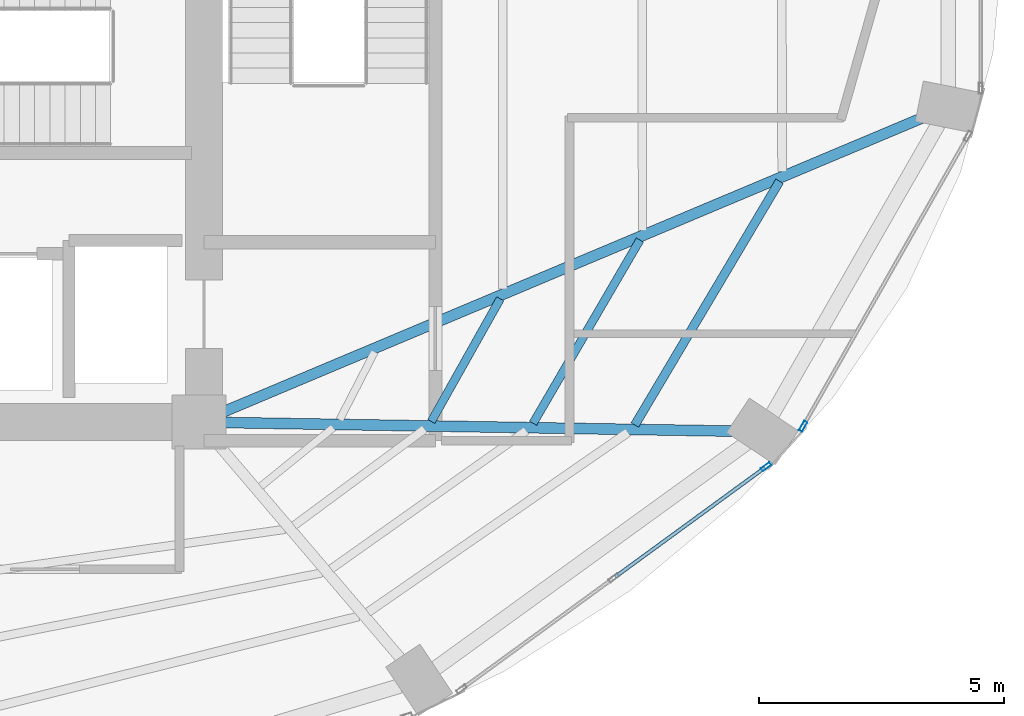
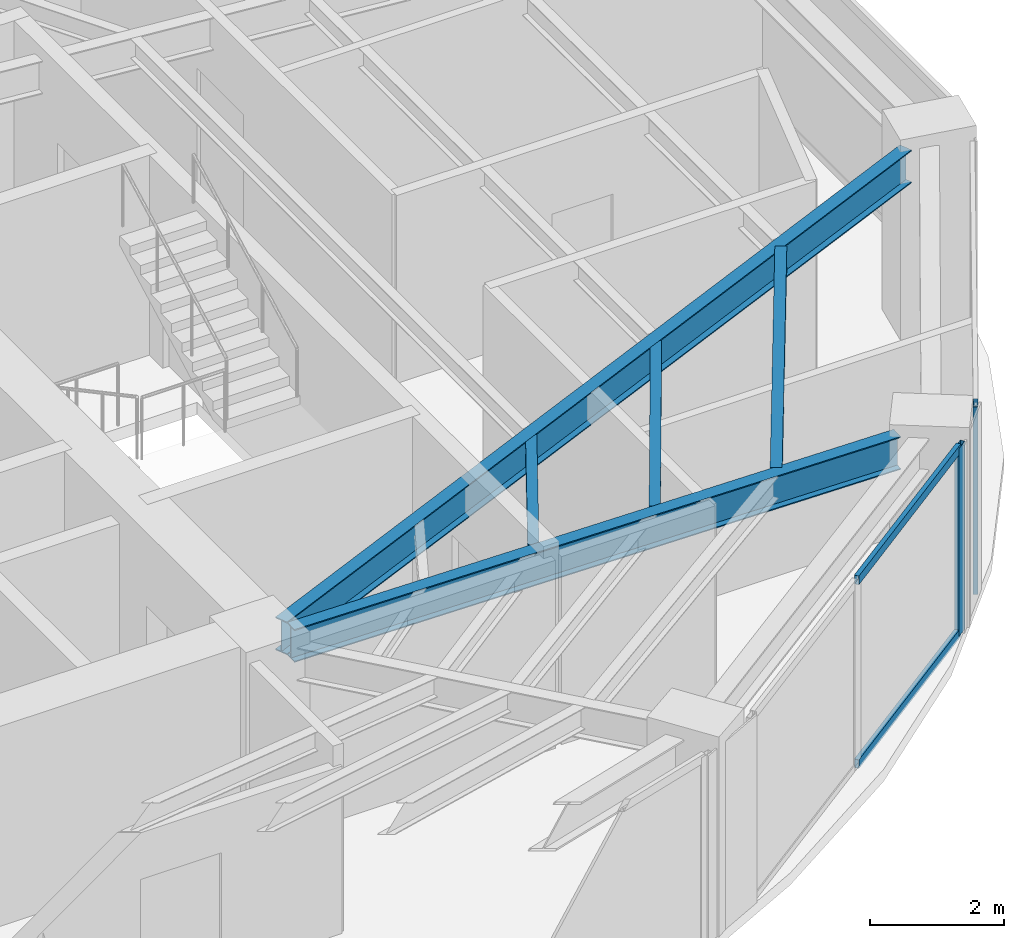
# One storey, part 11 of 24: 5 beams, 4 members, 2 elements without a shape of their own.
"""IFC4 building model written with IfcOpenShell, lengths in metres."""

from ifc_helpers import new_model, si_unit, direction, frame, origin, origin_2d, place, context, subcontext, project, spatial, hollow_rectangle, i_section, extrude, material, layer, layer_set, material_profile, profile_set, type_object, element, aggregate, save


model = new_model("IFC4")

# Units and contexts
model_context = context("Model", 3, precision=1e-05, world=origin(), true_north=direction((0.0, 1.0)))
body_context = subcontext(model_context, "Body", "Model", "MODEL_VIEW")
ifc_project = project(units=[si_unit("LENGTHUNIT", "METRE"), si_unit("AREAUNIT", "SQUARE_METRE"), si_unit("VOLUMEUNIT", "CUBIC_METRE"), si_unit("PLANEANGLEUNIT", "RADIAN"), si_unit("MASSUNIT", "GRAM", prefix="KILO")], contexts=[model_context])

# Site, building, storey
site_placement = place(None, origin())
site = spatial("IfcSite", under=ifc_project, at=site_placement, CompositionType="ELEMENT")
building_placement = place(site_placement, origin())
building = spatial("IfcBuilding", under=site, at=building_placement, Name="Lazwardi Medical Tower", CompositionType="ELEMENT")
storey_placement = place(building_placement, frame((0.0, 0.0, 103.632080078125)))
storey = spatial("IfcBuildingStorey", under=building, at=storey_placement, Name="L26", CompositionType="ELEMENT", Elevation=103.632080078125)

# Beams
ifc_material_1 = material(Name="Steel S355", Category="steel")
ifc_material_profile_1 = material_profile(ifc_material_1, i_section(OverallWidth=0.219970703125, OverallDepth=0.60009765625, WebThickness=0.011962890625, FlangeThickness=0.01904296875, at=origin_2d()), Name="IPE 600")
ifc_profile_set_1 = profile_set([ifc_material_profile_1], Name="Steel S355")
beam_type_1 = type_object("IfcBeamType", Name="BM-RG-W1", PredefinedType="BEAM", material=ifc_profile_set_1)
beam_1_placement = place(storey_placement, frame((56.497802734375, 20.215087890625, 3.1279296875), z_axis=(-0.99985616395, 0.016960289263, 0.0), x_axis=(-0.016960289263, -0.99985616395, 0.0)))
element("IfcBeam", 1, at=beam_1_placement, inside=storey, type_object=beam_type_1, Name="Radial girder RG-02 R03 L26", PredefinedType="BEAM", context=body_context, shape_type="SweptSolid", body=[
    extrude(i_section(OverallWidth=0.219970703125, OverallDepth=0.60009765625, WebThickness=0.011962890625, FlangeThickness=0.01904296875, at=origin_2d()), origin(), (0.0, 0.0, 1.0), 10.3642578125),
])
beam_2_placement = place(storey_placement, frame((60.328369140625, 26.59521484375, 3.1279296875), z_axis=(-0.921775176005, -0.38772480563, 0.0), x_axis=(0.38772480563, -0.921775176005, 0.0)))
element("IfcBeam", 2, at=beam_2_placement, inside=storey, type_object=beam_type_1, Name="Radial girder RG-02 R04 L26", PredefinedType="BEAM", context=body_context, shape_type="SweptSolid", body=[
    extrude(i_section(OverallWidth=0.219970703125, OverallDepth=0.60009765625, WebThickness=0.011962890625, FlangeThickness=0.01904296875, at=origin_2d()), origin(), (0.0, 0.0, 1.0), 15.443359375),
])
ifc_material_profile_2 = material_profile(ifc_material_1, i_section(OverallWidth=0.179931640625, OverallDepth=0.39990234375, WebThickness=0.008544921875, FlangeThickness=0.013427734375, at=origin_2d()), Name="IPE 400")
ifc_profile_set_2 = profile_set([ifc_material_profile_2], Name="Steel S355")
beam_type_2 = type_object("IfcBeamType", Name="BM-SJ-01", PredefinedType="JOIST", material=ifc_profile_set_2)
beam_3_placement = place(storey_placement, frame((54.47900390625, 20.340576171875, 3.22802734375), z_axis=(0.510499691073, 0.859877936346, 0.0), x_axis=(-0.859877936346, 0.510499691073, 0.0)))
element("IfcBeam", 3, at=beam_3_placement, inside=storey, type_object=beam_type_2, Name="Secondary joist SJ-01 R1 B03 L26", PredefinedType="JOIST", context=body_context, shape_type="SweptSolid", body=[
    extrude(i_section(OverallWidth=0.179931640625, OverallDepth=0.39990234375, WebThickness=0.008544921875, FlangeThickness=0.013427734375, at=origin_2d()), origin(), (0.0, 0.0, 1.0), 5.776123046875),
])
ifc_material_profile_3 = material_profile(ifc_material_1, i_section(OverallWidth=0.169921875, OverallDepth=0.360107421875, WebThickness=0.008056640625, FlangeThickness=0.0126953125, at=origin_2d()), Name="IPE 360")
ifc_profile_set_3 = profile_set([ifc_material_profile_3], Name="Steel S355")
beam_type_3 = type_object("IfcBeamType", Name="BM-SJ-02", PredefinedType="JOIST", material=ifc_profile_set_3)
beam_4_placement = place(storey_placement, frame((52.405517578125, 20.376220703125, 3.247802734375), z_axis=(0.503544274258, 0.86396942299, 0.0), x_axis=(-0.86396942299, 0.503544274258, 0.0)))
element("IfcBeam", 4, at=beam_4_placement, inside=storey, type_object=beam_type_3, Name="Secondary joist SJ-02 R2 B03 L26", PredefinedType="JOIST", context=body_context, shape_type="SweptSolid", body=[
    extrude(i_section(OverallWidth=0.169921875, OverallDepth=0.360107421875, WebThickness=0.008056640625, FlangeThickness=0.0126953125, at=origin_2d()), origin(), (0.0, 0.0, 1.0), 4.321044921875),
])
beam_5_placement = place(storey_placement, frame((50.33154296875, 20.412109375, 3.247802734375), z_axis=(0.489860824278, 0.871800649711, 0.0), x_axis=(-0.871800649711, 0.489860824278, 0.0)))
element("IfcBeam", 5, at=beam_5_placement, inside=storey, type_object=beam_type_3, Name="Secondary joist SJ-02 R3 B03 L26", PredefinedType="JOIST", context=body_context, shape_type="SweptSolid", body=[
    extrude(i_section(OverallWidth=0.169921875, OverallDepth=0.360107421875, WebThickness=0.008056640625, FlangeThickness=0.0126953125, at=origin_2d()), origin(), (0.0, 0.0, 1.0), 2.8662109375),
])

# Curtain wall, member
ifc_material_2 = material(Name="Anodised bronze aluminium and solar control glazing", Category="aluminium")
ifc_layer = layer(ifc_material_2, 0.195068359375)
ifc_layer_set = layer_set([ifc_layer], Name="Anodised bronze aluminium and solar control glazing")
curtain_wall_type = type_object("IfcCurtainWallType", Name="CW-SYS-03", PredefinedType="NOTDEFINED", material=ifc_layer_set)
curtain_wall_1_placement = place(storey_placement, origin())
curtain_wall_1 = element("IfcCurtainWall", 6, at=curtain_wall_1_placement, inside=storey, type_object=curtain_wall_type, Name="L26 Unitised bronze curtain wall CW-03", PredefinedType="NOTDEFINED")
ifc_material_3 = material(Name="Anodised bronze aluminium", Category="aluminium")
ifc_material_profile_4 = material_profile(ifc_material_3, hollow_rectangle(XDim=0.074951171875, YDim=0.219970703125, WallThickness=0.00390625, at=origin_2d()), Name="ALU-MULLION 220x75x4")
ifc_profile_set_4 = profile_set([ifc_material_profile_4], Name="Anodised bronze aluminium")
member_type_1 = type_object("IfcMemberType", Name="CW-MUL-01", PredefinedType="MULLION", material=ifc_profile_set_4)
member_1_placement = place(storey_placement, frame((57.155029296875, 19.4912109375, 0.0), z_axis=(0.0, 0.0, 1.0), x_axis=(-0.589530882802, 0.807745837639, 0.0)))
member_1 = element("IfcMember", 7, at=member_1_placement, type_object=member_type_1, Name="CW-03 mullion 3", PredefinedType="MULLION", context=body_context, shape_type="SweptSolid", body=[
    extrude(hollow_rectangle(XDim=0.074951171875, YDim=0.219970703125, WallThickness=0.00390625, at=origin_2d()), origin(), (0.0, 0.0, 1.0), 3.427978515625),
])

curtain_wall_2_placement = place(storey_placement, origin())
curtain_wall_2 = element("IfcCurtainWall", 8, at=curtain_wall_2_placement, inside=storey, type_object=curtain_wall_type, Name="L26 Unitised bronze curtain wall CW-03", PredefinedType="NOTDEFINED")
member_2_placement = place(storey_placement, frame((57.9072265625, 20.314208984375, 0.0), z_axis=(0.0, 0.0, 1.0), x_axis=(-0.869687265712, 0.493603140041, 0.0)))
member_2 = element("IfcMember", 9, at=member_2_placement, type_object=member_type_1, Name="CW-03 mullion 1", PredefinedType="MULLION", context=body_context, shape_type="SweptSolid", body=[
    extrude(hollow_rectangle(XDim=0.074951171875, YDim=0.219970703125, WallThickness=0.00390625, at=origin_2d()), origin(), (0.0, 0.0, 1.0), 3.427978515625),
])
aggregate(curtain_wall_2, [member_2])

# Member
ifc_material_profile_5 = material_profile(ifc_material_3, hollow_rectangle(XDim=0.074951171875, YDim=0.159912109375, WallThickness=0.00390625, at=origin_2d()), Name="ALU-TRANSOM 160x75x4")
ifc_profile_set_5 = profile_set([ifc_material_profile_5], Name="Anodised bronze aluminium")
member_type_2 = type_object("IfcMemberType", Name="CW-TRN-01", PredefinedType="USERDEFINED", material=ifc_profile_set_5)
member_3_placement = place(storey_placement, frame((54.081298828125, 17.247802734375, 0.037353515625), z_axis=(0.807731734271, 0.589550206049, 0.0), x_axis=(-0.589550206049, 0.807731734271, 0.0)))
member_3 = element("IfcMember", 10, at=member_3_placement, type_object=member_type_2, Name="CW-03 transom 2.1", ObjectType="TRANSOM", PredefinedType="USERDEFINED", context=body_context, shape_type="SweptSolid", body=[
    extrude(hollow_rectangle(XDim=0.074951171875, YDim=0.159912109375, WallThickness=0.00390625, at=origin_2d()), origin(), (0.0, 0.0, 1.0), 3.767578125),
])

member_4_placement = place(storey_placement, frame((54.081298828125, 17.247802734375, 3.390380859375), z_axis=(0.807731734271, 0.589550206049, 0.0), x_axis=(-0.589550206049, 0.807731734271, 0.0)))
member_4 = element("IfcMember", 11, at=member_4_placement, type_object=member_type_2, Name="CW-03 transom 2.2", ObjectType="TRANSOM", PredefinedType="USERDEFINED", context=body_context, shape_type="SweptSolid", body=[
    extrude(hollow_rectangle(XDim=0.074951171875, YDim=0.159912109375, WallThickness=0.00390625, at=origin_2d()), origin(), (0.0, 0.0, 1.0), 3.767578125),
])

aggregate(curtain_wall_1, [member_1, member_3, member_4])

save(model, "model.ifc")
